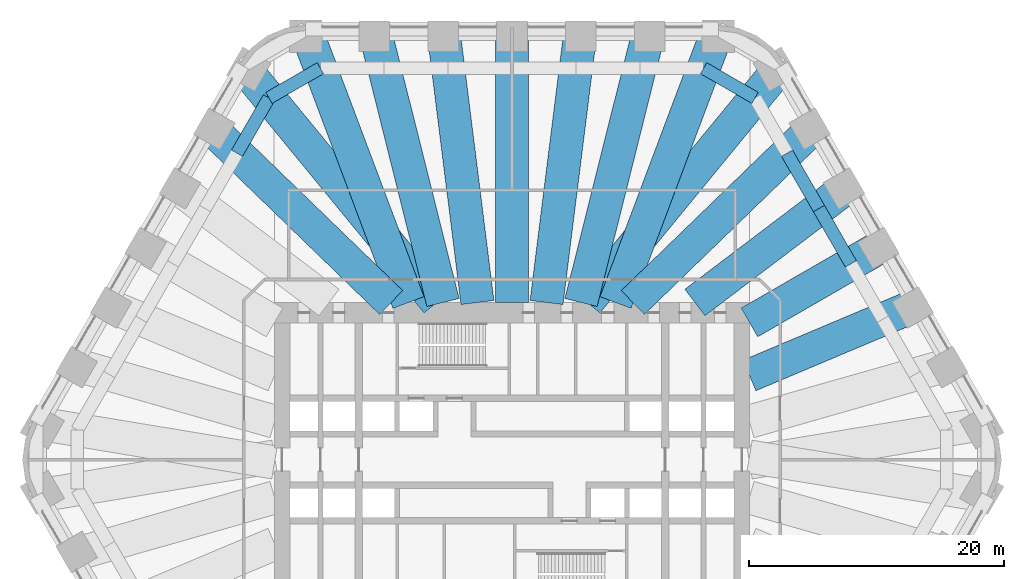
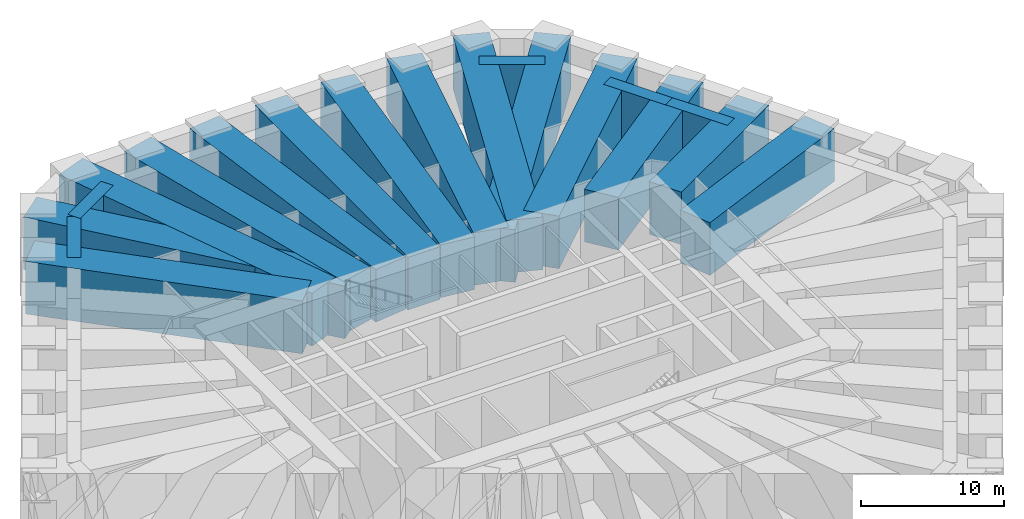
# One storey, part 7 of 17: 19 beams.
"""IFC4 building model written with IfcOpenShell, lengths in metres."""

import ifcopenshell
import ifcopenshell.guid

model = None  # the IFC model being written
_history = None  # IfcOwnerHistory: only IFC2X3 demands one
_inside = {}  # id of a spatial element -> (the spatial element, [elements in it])
_under = {}  # id of a project, library or spatial element -> (it, [spatial elements below it])
_declared = {}  # id of a project -> (the project, [libraries it declares])
_typed = {}  # id of a type object -> (the type object, [elements of that type])
_made_of = {}  # id of a material, layer set ... -> (it, [elements and type objects made of it])


def new_model(schema):
    """Start an empty IFC model of exactly this schema.

    Asked for "IFC4X3", IfcOpenShell would pick the latest addendum, in which some entities
    have other attributes; the version numbers below select the first issue.
    IFC2X3 requires an IfcOwnerHistory on every rooted entity: one is made here for all.
    """
    global model, _history
    if schema == "IFC4X3":
        model = ifcopenshell.file(schema_version=(4, 3, 0, 0))
    else:
        model = ifcopenshell.file(schema=schema)
    _inside.clear()
    _under.clear()
    _declared.clear()
    _typed.clear()
    _made_of.clear()
    _history = None
    if model.schema == "IFC2X3":
        org = make("IfcOrganization", Name="unknown")
        user = make(
            "IfcPersonAndOrganization",
            ThePerson=make("IfcPerson", FamilyName="unknown"),
            TheOrganization=org,
        )
        app = make(
            "IfcApplication",
            ApplicationDeveloper=org,
            Version="unknown",
            ApplicationFullName="unknown",
            ApplicationIdentifier="unknown",
        )
        _history = make(
            "IfcOwnerHistory",
            OwningUser=user,
            OwningApplication=app,
            ChangeAction="ADDED",
            CreationDate=0,
        )
    return model


def make(cls, **values):
    """One entity of the class cls with the attributes given. An attribute that is None is left unset."""
    return model.create_entity(
        cls, **{name: value for name, value in values.items() if value is not None}
    )


def rooted(cls, **values):
    """An entity with a GlobalId (a new one), such as an element, a storey or a relation."""
    return make(cls, GlobalId=ifcopenshell.guid.new(), OwnerHistory=_history, **values)


def si_unit(unit_type, name, prefix=None):
    """IfcSIUnit, for example si_unit("LENGTHUNIT", "METRE", prefix="MILLI")."""
    return make("IfcSIUnit", UnitType=unit_type, Prefix=prefix, Name=name)


def assignment(units):
    """IfcUnitAssignment: the units of a project."""
    return None if units is None else make("IfcUnitAssignment", Units=units)


def point(xyz):
    """IfcCartesianPoint."""
    return None if xyz is None else make("IfcCartesianPoint", Coordinates=xyz)


def direction(xyz):
    """IfcDirection."""
    return None if xyz is None else make("IfcDirection", DirectionRatios=xyz)


def frame(location, z_axis=None, x_axis=None):
    """IfcAxis2Placement3D, a coordinate frame: its origin and axes. An axis left out is left unset."""
    return make(
        "IfcAxis2Placement3D",
        Location=point(location),
        Axis=direction(z_axis),
        RefDirection=direction(x_axis),
    )


def frame_2d(location, x_axis=None):
    """IfcAxis2Placement2D, a coordinate frame in the plane: its origin and x axis."""
    return make(
        "IfcAxis2Placement2D", Location=point(location), RefDirection=direction(x_axis)
    )


def origin():
    """The frame at (0, 0, 0) with its axes left unset."""
    return frame((0.0, 0.0, 0.0))


def origin_2d():
    """The frame at (0, 0) in the plane with its x axis left unset."""
    return frame_2d((0.0, 0.0))


def place(relative_to, where):
    """IfcLocalPlacement: puts the frame where relative to a parent placement (None: the world)."""
    return make(
        "IfcLocalPlacement", PlacementRelTo=relative_to, RelativePlacement=where
    )


def context(
    kind, dimensions, precision=None, world=None, true_north=None, identifier=None
):
    """IfcGeometricRepresentationContext, for example the 3D "Model" context."""
    return make(
        "IfcGeometricRepresentationContext",
        ContextIdentifier=identifier,
        ContextType=kind,
        CoordinateSpaceDimension=dimensions,
        Precision=precision,
        WorldCoordinateSystem=world,
        TrueNorth=true_north,
    )


def subcontext(parent, identifier, kind, view, scale=None):
    """IfcGeometricRepresentationSubContext, for example "Body" below "Model"."""
    return make(
        "IfcGeometricRepresentationSubContext",
        ContextIdentifier=identifier,
        ContextType=kind,
        ParentContext=parent,
        TargetScale=scale,
        TargetView=view,
    )


def project(units=None, contexts=None):
    """IfcProject with its units and contexts."""
    return rooted(
        "IfcProject",
        Name="project",
        RepresentationContexts=contexts,
        UnitsInContext=assignment(units),
    )


def spatial(cls, under=None, at=None, **own):
    """A site, building, storey or space (cls), placed at a placement, below another one or the project."""
    s = rooted(cls, ObjectPlacement=at, **own)
    if under is not None:
        _under.setdefault(under.id(), (under, []))[1].append(s)
    return s


def profile(cls, at=None, kind="AREA", **sizes):
    """A parametric profile (cls). Its sizes go by their IFC names, for example OverallWidth=200.0."""
    return make(cls, ProfileType=kind, Position=at, **sizes)


def rectangle(**sizes):
    """IfcRectangleProfileDef."""
    return profile("IfcRectangleProfileDef", **sizes)


def extrude(swept, where, along, depth):
    """IfcExtrudedAreaSolid: the profile swept, set in the frame where, extruded along a direction by depth."""
    return make(
        "IfcExtrudedAreaSolid",
        SweptArea=swept,
        Position=where,
        ExtrudedDirection=direction(along),
        Depth=depth,
    )


def shape(context_of_items, identifier, shape_type, items):
    """IfcShapeRepresentation: the items that make up one representation, for example the "Body"."""
    return make(
        "IfcShapeRepresentation",
        ContextOfItems=context_of_items,
        RepresentationIdentifier=identifier,
        RepresentationType=shape_type,
        Items=items,
    )


def material(Name=None, Category=None):
    """IfcMaterial."""
    return make("IfcMaterial", Name=Name, Category=Category)


def material_profile(
    of_material, cross_section, Name=None, Category=None, Priority=None
):
    """IfcMaterialProfile: a cross section and its material."""
    return make(
        "IfcMaterialProfile",
        Name=Name,
        Material=of_material,
        Profile=cross_section,
        Priority=Priority,
        Category=Category,
    )


def profile_set(profiles, Name=None, composite=None):
    """IfcMaterialProfileSet."""
    return make(
        "IfcMaterialProfileSet",
        Name=Name,
        MaterialProfiles=profiles,
        CompositeProfile=composite,
    )


def made_of(thing, what):
    """Note that an element or type object is made of a material, layer set ...; save() writes the relation."""
    if what is not None:
        _made_of.setdefault(what.id(), (what, []))[1].append(thing)
    return thing


def type_object(cls, material=None, **own):
    """A type object (cls), such as IfcWallType, which elements share."""
    return made_of(rooted(cls, **own), material)


def element(
    cls,
    number,
    at=None,
    inside=None,
    cuts=None,
    type_object=None,
    material=None,
    context=None,
    identifier="Body",
    shape_type=None,
    held_by="IfcProductDefinitionShape",
    body=None,
    shapes=None,
    **own,
):
    """One element of the class cls, such as IfcWall. Its Tag is "e" and its number.

    at: its placement. inside: the storey or other place that contains it. cuts: it is an
    opening in that element (IfcRelVoidsElement). A single representation is given by context,
    identifier, shape_type and body (its items); several are given by shapes. held_by: the class
    of the entity that holds the representations. save() writes the other relations.
    """
    e = rooted(cls, Tag="e%d" % number, ObjectPlacement=at, **own)
    if body is not None:
        shapes = [shape(context, identifier, shape_type, body)]
    if shapes is not None:
        e.Representation = make(held_by, Representations=shapes)
    if inside is not None:
        _inside.setdefault(inside.id(), (inside, []))[1].append(e)
    if cuts is not None:
        rooted(
            "IfcRelVoidsElement", RelatingBuildingElement=cuts, RelatedOpeningElement=e
        )
    if type_object is not None:
        _typed.setdefault(type_object.id(), (type_object, []))[1].append(e)
    return made_of(e, material)


def aggregate(whole, parts):
    """IfcRelAggregates: a whole, such as a stair, and the parts it consists of."""
    return rooted("IfcRelAggregates", RelatingObject=whole, RelatedObjects=parts)


def save(model, path):
    """Write the relations noted so far, then the file.

    IfcRelAggregates (storeys below a building ...), IfcRelContainedInSpatialStructure (elements
    in a storey), IfcRelDefinesByType, IfcRelAssociatesMaterial and IfcRelDeclares: one each for
    every whole, place, type object, material and project.
    """
    for whole, parts in _under.values():
        aggregate(whole, parts)
    for where, things in _inside.values():
        rooted(
            "IfcRelContainedInSpatialStructure",
            RelatedElements=things,
            RelatingStructure=where,
        )
    for kind, things in _typed.values():
        rooted("IfcRelDefinesByType", RelatedObjects=things, RelatingType=kind)
    for what, things in _made_of.values():
        rooted("IfcRelAssociatesMaterial", RelatedObjects=things, RelatingMaterial=what)
    for by, libraries in _declared.values():
        rooted("IfcRelDeclares", RelatingContext=by, RelatedDefinitions=libraries)
    model.write(path)


model = new_model("IFC4")

# Units and contexts
model_context = context("Model", 3, precision=1e-05, world=origin(), true_north=direction((0.0, 1.0)))
body_context = subcontext(model_context, "Body", "Model", "MODEL_VIEW")
ifc_project = project(units=[si_unit("LENGTHUNIT", "METRE"), si_unit("AREAUNIT", "SQUARE_METRE"), si_unit("VOLUMEUNIT", "CUBIC_METRE"), si_unit("PLANEANGLEUNIT", "RADIAN"), si_unit("MASSUNIT", "GRAM", prefix="KILO")], contexts=[model_context])

# Site, building, storey
site_placement = place(None, origin())
site = spatial("IfcSite", under=ifc_project, at=site_placement, CompositionType="ELEMENT")
building_placement = place(site_placement, origin())
building = spatial("IfcBuilding", under=site, at=building_placement, Name="Tarfa Lantern Tower", CompositionType="ELEMENT")
storey_placement = place(building_placement, frame((0.0, 0.0, 107.5)))
storey = spatial("IfcBuildingStorey", under=building, at=storey_placement, Name="L24", CompositionType="ELEMENT", Elevation=107.5)

# Beams
ifc_material = material(Name="Concrete C80/95", Category="concrete")
ifc_material_profile_1 = material_profile(ifc_material, rectangle(XDim=1.0, YDim=4.5, at=origin_2d()), Name="RC 1000x4500")
ifc_profile_set_1 = profile_set([ifc_material_profile_1], Name="Concrete C80/95")
beam_type_1 = type_object("IfcBeamType", Name="RG1 RC 1000x4500", PredefinedType="BEAM", material=ifc_profile_set_1)
beam_1_placement = place(storey_placement, frame((26.543701171875, 15.324951171875, 4.449951171875), z_axis=(-0.500001197378, 0.866024712477, 0.0), x_axis=(-0.866024712477, -0.500001197378, 0.0)))
element("IfcBeam", 1, at=beam_1_placement, inside=storey, type_object=beam_type_1, Name="Ring girder NE3", PredefinedType="BEAM", context=body_context, shape_type="SweptSolid", body=[
    extrude(rectangle(XDim=1.0, YDim=4.5, at=origin_2d()), origin(), (0.0, 0.0, 1.0), 5.00390625),
])
beam_2_placement = place(storey_placement, frame((24.041748046875, 19.658447265625, 4.449951171875), z_axis=(-0.49998573051, 0.866033642122, 0.0), x_axis=(-0.866033642122, -0.49998573051, 0.0)))
element("IfcBeam", 2, at=beam_2_placement, inside=storey, type_object=beam_type_1, Name="Ring girder NE4", PredefinedType="BEAM", context=body_context, shape_type="SweptSolid", body=[
    extrude(rectangle(XDim=1.0, YDim=4.5, at=origin_2d()), origin(), (0.0, 0.0, 1.0), 5.003662109375),
])
for number, where, z_axis, x_axis, name in (
    (3, (19.0380859375, 28.324951171875, 4.449951171875), (-0.866034331223, 0.499984536904, 0.0), (-0.499984536904, -0.866034331223, 0.0), "Ring girder NE6"),
    (4, (-15.010986328125, 30.64990234375, 4.449951171875), (-0.866034331223, -0.499984536904, 0.0), (0.499984536904, -0.866034331223, 0.0), "Ring girder N6"),
):
    element("IfcBeam", number, at=place(storey_placement, frame(where, z_axis=z_axis, x_axis=x_axis)), inside=storey, type_object=beam_type_1, Name=name, PredefinedType="BEAM", context=body_context, shape_type="SweptSolid", body=[
        extrude(rectangle(XDim=1.0, YDim=4.5, at=origin_2d()), origin(), (0.0, 0.0, 1.0), 4.650146484375),
    ])
beam_3_placement = place(storey_placement, frame((-19.0380859375, 28.324951171875, 4.449951171875), z_axis=(-0.500022324899, -0.866012514114, 0.0), x_axis=(0.866012514114, -0.500022324899, 0.0)))
element("IfcBeam", 5, at=beam_3_placement, inside=storey, type_object=beam_type_1, Name="Ring girder NW0", PredefinedType="BEAM", context=body_context, shape_type="SweptSolid", body=[
    extrude(rectangle(XDim=1.0, YDim=4.5, at=origin_2d()), origin(), (0.0, 0.0, 1.0), 5.003662109375),
])
ifc_material_profile_2 = material_profile(ifc_material, rectangle(XDim=2.60009765625, YDim=4.5, at=origin_2d()), Name="RC 2600x4500")
ifc_profile_set_2 = profile_set([ifc_material_profile_2], Name="Concrete C80/95")
beam_type_2 = type_object("IfcBeamType", Name="TG1 RC 2600x4500", PredefinedType="BEAM", material=ifc_profile_set_2)
beam_4_placement = place(storey_placement, frame((31.896728515625, 12.193359375, 4.449951171875), z_axis=(-0.921494861776, -0.388390550503, 0.0), x_axis=(0.388390550503, -0.921494861776, 0.0)))
element("IfcBeam", 6, at=beam_4_placement, inside=storey, type_object=beam_type_2, Name="Transfer girder NE2", PredefinedType="BEAM", context=body_context, shape_type="SweptSolid", body=[
    extrude(rectangle(XDim=2.60009765625, YDim=4.5, at=origin_2d()), origin(), (0.0, 0.0, 1.0), 14.429443359375),
])
beam_5_placement = place(storey_placement, frame((29.202392578125, 16.860107421875, 4.449951171875), z_axis=(-0.866021864563, -0.500006130062, 0.0), x_axis=(0.500006130062, -0.866021864563, 0.0)))
element("IfcBeam", 7, at=beam_5_placement, inside=storey, type_object=beam_type_2, Name="Transfer girder NE3", PredefinedType="BEAM", context=body_context, shape_type="SweptSolid", body=[
    extrude(rectangle(XDim=2.60009765625, YDim=4.5, at=origin_2d()), origin(), (0.0, 0.0, 1.0), 12.242431640625),
])
beam_6_placement = place(storey_placement, frame((26.508056640625, 21.526611328125, 4.449951171875), z_axis=(-0.797101237143, -0.603845690342, 0.0), x_axis=(0.603845690342, -0.797101237143, 0.0)))
element("IfcBeam", 8, at=beam_6_placement, inside=storey, type_object=beam_type_2, Name="Transfer girder NE4", PredefinedType="BEAM", context=body_context, shape_type="SweptSolid", body=[
    extrude(rectangle(XDim=2.60009765625, YDim=4.5, at=origin_2d()), origin(), (0.0, 0.0, 1.0), 15.27978515625),
])
beam_7_placement = place(storey_placement, frame((23.813720703125, 26.193359375, 4.449951171875), z_axis=(-0.718407622494, -0.695622374526, 0.0), x_axis=(0.695622374526, -0.718407622494, 0.0)))
element("IfcBeam", 9, at=beam_7_placement, inside=storey, type_object=beam_type_2, Name="Transfer girder NE5", PredefinedType="BEAM", context=body_context, shape_type="SweptSolid", body=[
    extrude(rectangle(XDim=2.60009765625, YDim=4.5, at=origin_2d()), origin(), (0.0, 0.0, 1.0), 19.972412109375),
])
beam_8_placement = place(storey_placement, frame((21.119384765625, 30.860107421875, 4.449951171875), z_axis=(-0.634559460716, -0.772874045894, 0.0), x_axis=(0.772874045894, -0.634559460716, 0.0)))
element("IfcBeam", 10, at=beam_8_placement, inside=storey, type_object=beam_type_2, Name="Transfer girder NE6", PredefinedType="BEAM", context=body_context, shape_type="SweptSolid", body=[
    extrude(rectangle(XDim=2.60009765625, YDim=4.5, at=origin_2d()), origin(), (0.0, 0.0, 1.0), 24.014404296875),
])
beam_9_placement = place(storey_placement, frame((16.165771484375, 33.719970703125, 4.449951171875), z_axis=(-0.352049207544, -0.935981493123, 0.0), x_axis=(0.935981493123, -0.352049207544, 0.0)))
element("IfcBeam", 11, at=beam_9_placement, inside=storey, type_object=beam_type_2, Name="Transfer girder N0", PredefinedType="BEAM", context=body_context, shape_type="SweptSolid", body=[
    extrude(rectangle(XDim=2.60009765625, YDim=4.5, at=origin_2d()), origin(), (0.0, 0.0, 1.0), 22.885009765625),
])
beam_10_placement = place(storey_placement, frame((10.777099609375, 33.719970703125, 4.449951171875), z_axis=(-0.243211908028, -0.969973178904, 0.0), x_axis=(0.969973178904, -0.243211908028, 0.0)))
element("IfcBeam", 12, at=beam_10_placement, inside=storey, type_object=beam_type_2, Name="Transfer girder N1", PredefinedType="BEAM", context=body_context, shape_type="SweptSolid", body=[
    extrude(rectangle(XDim=2.60009765625, YDim=4.5, at=origin_2d()), origin(), (0.0, 0.0, 1.0), 22.0830078125),
])
beam_11_placement = place(storey_placement, frame((5.388671875, 33.719970703125, 4.449951171875), z_axis=(-0.124402191018, -0.992231875556, 0.0), x_axis=(0.992231875556, -0.124402191018, 0.0)))
element("IfcBeam", 13, at=beam_11_placement, inside=storey, type_object=beam_type_2, Name="Transfer girder N2", PredefinedType="BEAM", context=body_context, shape_type="SweptSolid", body=[
    extrude(rectangle(XDim=2.60009765625, YDim=4.5, at=origin_2d()), origin(), (0.0, 0.0, 1.0), 21.587646484375),
])
beam_12_placement = place(storey_placement, frame((0.0, 33.719970703125, 4.449951171875), z_axis=(0.0, -1.0, 0.0), x_axis=(1.0, 0.0, 0.0)))
element("IfcBeam", 14, at=beam_12_placement, inside=storey, type_object=beam_type_2, Name="Transfer girder N3", PredefinedType="BEAM", context=body_context, shape_type="SweptSolid", body=[
    extrude(rectangle(XDim=2.60009765625, YDim=4.5, at=origin_2d()), origin(), (0.0, 0.0, 1.0), 21.419921875),
])
beam_13_placement = place(storey_placement, frame((-5.388671875, 33.719970703125, 4.449951171875), z_axis=(0.124402191018, -0.992231875556, 0.0), x_axis=(0.992231875556, 0.124402191018, 0.0)))
element("IfcBeam", 15, at=beam_13_placement, inside=storey, type_object=beam_type_2, Name="Transfer girder N4", PredefinedType="BEAM", context=body_context, shape_type="SweptSolid", body=[
    extrude(rectangle(XDim=2.60009765625, YDim=4.5, at=origin_2d()), origin(), (0.0, 0.0, 1.0), 21.587646484375),
])
beam_14_placement = place(storey_placement, frame((-10.777099609375, 33.719970703125, 4.449951171875), z_axis=(0.243211908028, -0.969973178904, 0.0), x_axis=(0.969973178904, 0.243211908028, 0.0)))
element("IfcBeam", 16, at=beam_14_placement, inside=storey, type_object=beam_type_2, Name="Transfer girder N5", PredefinedType="BEAM", context=body_context, shape_type="SweptSolid", body=[
    extrude(rectangle(XDim=2.60009765625, YDim=4.5, at=origin_2d()), origin(), (0.0, 0.0, 1.0), 22.0830078125),
])
beam_15_placement = place(storey_placement, frame((-16.165771484375, 33.719970703125, 4.449951171875), z_axis=(0.352049207544, -0.935981493123, 0.0), x_axis=(0.935981493123, 0.352049207544, 0.0)))
element("IfcBeam", 17, at=beam_15_placement, inside=storey, type_object=beam_type_2, Name="Transfer girder N6", PredefinedType="BEAM", context=body_context, shape_type="SweptSolid", body=[
    extrude(rectangle(XDim=2.60009765625, YDim=4.5, at=origin_2d()), origin(), (0.0, 0.0, 1.0), 22.885009765625),
])
beam_16_placement = place(storey_placement, frame((-21.119384765625, 30.860107421875, 4.449951171875), z_axis=(0.634559460716, -0.772874045894, 0.0), x_axis=(0.772874045894, 0.634559460716, 0.0)))
element("IfcBeam", 18, at=beam_16_placement, inside=storey, type_object=beam_type_2, Name="Transfer girder NW0", PredefinedType="BEAM", context=body_context, shape_type="SweptSolid", body=[
    extrude(rectangle(XDim=2.60009765625, YDim=4.5, at=origin_2d()), origin(), (0.0, 0.0, 1.0), 24.014404296875),
])
beam_17_placement = place(storey_placement, frame((-23.813720703125, 26.193359375, 4.449951171875), z_axis=(0.718407622494, -0.695622374526, 0.0), x_axis=(0.695622374526, 0.718407622494, 0.0)))
element("IfcBeam", 19, at=beam_17_placement, inside=storey, type_object=beam_type_2, Name="Transfer girder NW1", PredefinedType="BEAM", context=body_context, shape_type="SweptSolid", body=[
    extrude(rectangle(XDim=2.60009765625, YDim=4.5, at=origin_2d()), origin(), (0.0, 0.0, 1.0), 19.972412109375),
])

save(model, "model.ifc")
